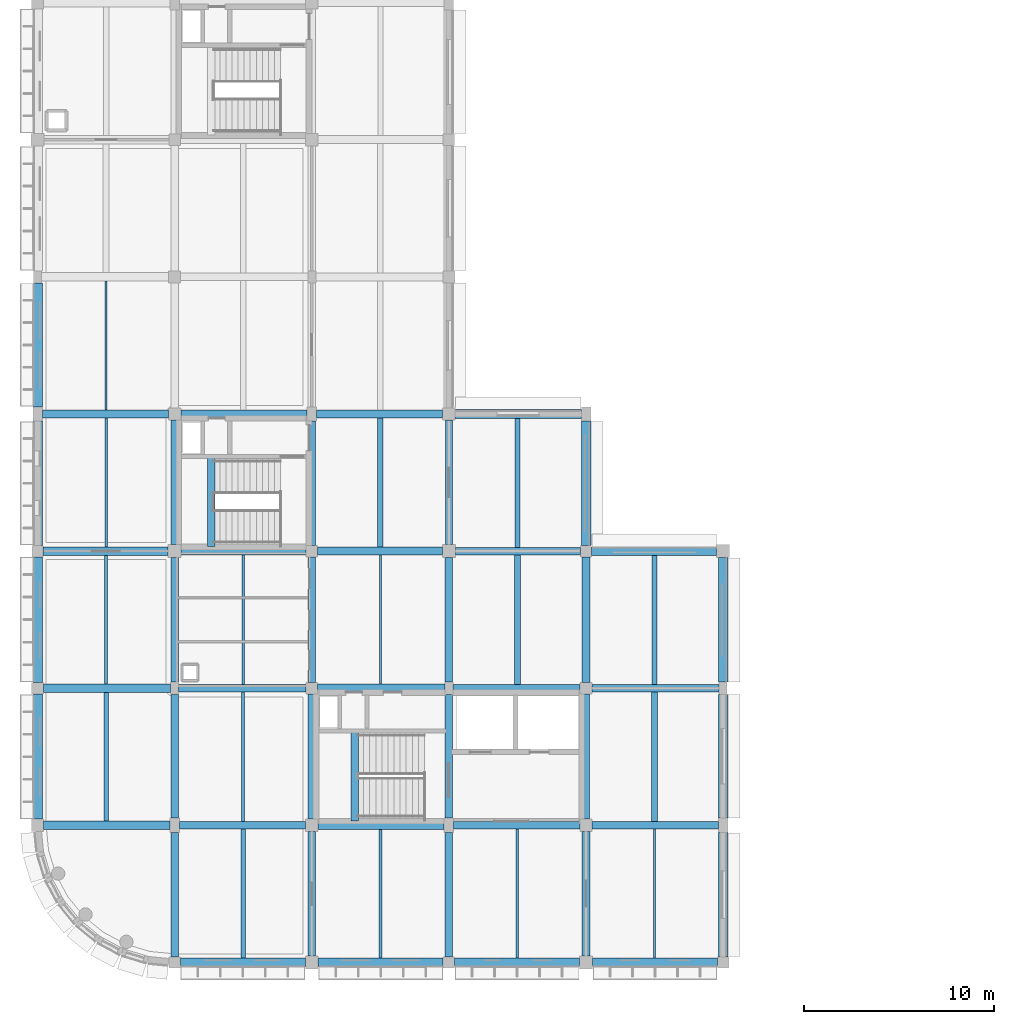
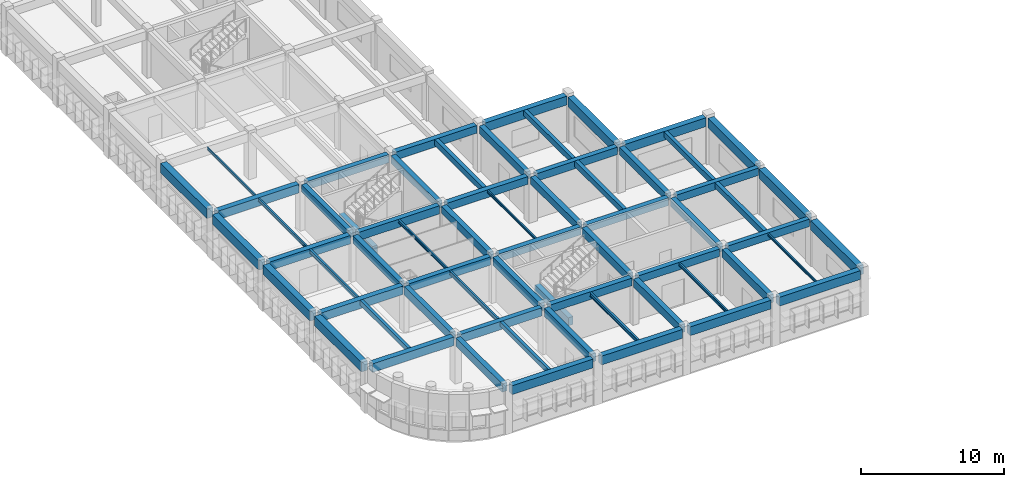
# One storey, part 3 of 38: 64 beams.
"""IFC4 building model written with IfcOpenShell, lengths in metres."""

from ifc_helpers import new_model, si_unit, direction, frame, origin, origin_2d, place, context, subcontext, project, spatial, rectangle, i_section, extrude, material, material_profile, profile_set, type_object, element, save


model = new_model("IFC4")

# Units and contexts
model_context = context("Model", 3, precision=1e-05, world=origin(), true_north=direction((0.0, 1.0)))
body_context = subcontext(model_context, "Body", "Model", "MODEL_VIEW")
ifc_project = project(units=[si_unit("LENGTHUNIT", "METRE"), si_unit("AREAUNIT", "SQUARE_METRE"), si_unit("VOLUMEUNIT", "CUBIC_METRE"), si_unit("PLANEANGLEUNIT", "RADIAN"), si_unit("MASSUNIT", "GRAM", prefix="KILO")], contexts=[model_context])

# Site, building, storey
site_placement = place(None, origin())
site = spatial("IfcSite", under=ifc_project, at=site_placement, CompositionType="ELEMENT")
building_placement = place(site_placement, origin())
building = spatial("IfcBuilding", under=site, at=building_placement, Name="Thalmaran Polytechnic", CompositionType="ELEMENT")
storey_placement = place(building_placement, frame((0.0, 0.0, 18.60009765625)))
storey = spatial("IfcBuildingStorey", under=building, at=storey_placement, Name="L04", CompositionType="ELEMENT", Elevation=18.60009765625)

# Beams
ifc_material_1 = material(Name="Concrete C40/50", Category="concrete")
ifc_material_profile_1 = material_profile(ifc_material_1, rectangle(XDim=0.39990234375, YDim=0.699951171875, at=origin_2d()), Name="RC 400x700")
ifc_profile_set_1 = profile_set([ifc_material_profile_1], Name="Concrete C40/50")
beam_type_1 = type_object("IfcBeamType", Name="BM-RC05", PredefinedType="BEAM", material=ifc_profile_set_1)
beam_1_placement = place(storey_placement, frame((7.449951171875, 7.199951171875, 3.60498046875), z_axis=(1.0, 0.0, 0.0), x_axis=(0.0, 1.0, 0.0)))
element("IfcBeam", 1, at=beam_1_placement, inside=storey, type_object=beam_type_1, Name="Grid Beam B05 L04 X(1,1)", PredefinedType="BEAM", context=body_context, shape_type="SweptSolid", body=[
    extrude(rectangle(XDim=0.39990234375, YDim=0.699951171875, at=origin_2d()), origin(), (0.0, 0.0, 1.0), 6.625),
])
beam_2_placement = place(storey_placement, frame((7.409912109375, 14.39990234375, 3.60498046875), z_axis=(1.0, 0.0, 0.0), x_axis=(0.0, 1.0, 0.0)))
element("IfcBeam", 2, at=beam_2_placement, inside=storey, type_object=beam_type_1, Name="Grid Beam B05 L04 X(1,2)", PredefinedType="BEAM", context=body_context, shape_type="SweptSolid", body=[
    extrude(rectangle(XDim=0.39990234375, YDim=0.699951171875, at=origin_2d()), origin(), (0.0, 0.0, 1.0), 6.68017578125),
])
beam_3_placement = place(storey_placement, frame((7.5400390625, 21.60009765625, 3.60498046875), z_axis=(1.0, 0.0, 0.0), x_axis=(0.0, 1.0, 0.0)))
element("IfcBeam", 3, at=beam_3_placement, inside=storey, type_object=beam_type_1, Name="Grid Beam B05 L04 X(1,3)", PredefinedType="BEAM", context=body_context, shape_type="SweptSolid", body=[
    extrude(rectangle(XDim=0.39990234375, YDim=0.699951171875, at=origin_2d()), origin(), (0.0, 0.0, 1.0), 6.56005859375),
])
beam_4_placement = place(storey_placement, frame((7.52490234375, 28.800048828125, 3.60498046875), z_axis=(1.0, 0.0, 0.0), x_axis=(0.0, 1.0, 0.0)))
element("IfcBeam", 4, at=beam_4_placement, inside=storey, type_object=beam_type_1, Name="Grid Beam B05 L04 X(1,4)", PredefinedType="BEAM", context=body_context, shape_type="SweptSolid", body=[
    extrude(rectangle(XDim=0.39990234375, YDim=0.699951171875, at=origin_2d()), origin(), (0.0, 0.0, 1.0), 6.625),
])
ifc_material_profile_2 = material_profile(ifc_material_1, rectangle(XDim=0.39990234375, YDim=0.64990234375, at=origin_2d()), Name="RC 400x650")
ifc_profile_set_2 = profile_set([ifc_material_profile_2], Name="Concrete C40/50")
beam_type_2 = type_object("IfcBeamType", Name="BM-RC06", PredefinedType="BEAM", material=ifc_profile_set_2)
beam_5_placement = place(storey_placement, frame((21.85009765625, 7.199951171875, 3.6298828125), z_axis=(1.0, 0.0, 0.0), x_axis=(0.0, 1.0, 0.0)))
element("IfcBeam", 5, at=beam_5_placement, inside=storey, type_object=beam_type_2, Name="Grid Beam B06 L04 X(3,1)", PredefinedType="BEAM", context=body_context, shape_type="SweptSolid", body=[
    extrude(rectangle(XDim=0.39990234375, YDim=0.64990234375, at=origin_2d()), origin(), (0.0, 0.0, 1.0), 6.625),
])
beam_6_placement = place(storey_placement, frame((21.81005859375, 14.39990234375, 3.6298828125), z_axis=(1.0, 0.0, 0.0), x_axis=(0.0, 1.0, 0.0)))
element("IfcBeam", 6, at=beam_6_placement, inside=storey, type_object=beam_type_2, Name="Grid Beam B06 L04 X(3,2)", PredefinedType="BEAM", context=body_context, shape_type="SweptSolid", body=[
    extrude(rectangle(XDim=0.39990234375, YDim=0.64990234375, at=origin_2d()), origin(), (0.0, 0.0, 1.0), 6.679931640625),
])
beam_7_placement = place(storey_placement, frame((21.93994140625, 21.60009765625, 3.60986328125), z_axis=(1.0, 0.0, 0.0), x_axis=(0.0, 1.0, 0.0)))
element("IfcBeam", 7, at=beam_7_placement, inside=storey, type_object=beam_type_2, Name="Grid Beam B06 L04 X(3,3)", PredefinedType="BEAM", context=body_context, shape_type="SweptSolid", body=[
    extrude(rectangle(XDim=0.39990234375, YDim=0.64990234375, at=origin_2d()), origin(), (0.0, 0.0, 1.0), 6.56005859375),
])
ifc_material_profile_3 = material_profile(ifc_material_1, rectangle(XDim=0.39990234375, YDim=0.6298828125, at=origin_2d()), Name="RC 400x630")
ifc_profile_set_3 = profile_set([ifc_material_profile_3], Name="Concrete C40/50")
beam_type_3 = type_object("IfcBeamType", Name="BM-RC07", PredefinedType="BEAM", material=ifc_profile_set_3)
beam_8_placement = place(storey_placement, frame((7.199951171875, 14.719970703125, 3.639892578125), z_axis=(0.0, 1.0, 0.0), x_axis=(-1.0, 0.0, 0.0)))
element("IfcBeam", 8, at=beam_8_placement, inside=storey, type_object=beam_type_3, Name="Grid Beam B07 L04 Y(1,2)", PredefinedType="BEAM", context=body_context, shape_type="SweptSolid", body=[
    extrude(rectangle(XDim=0.39990234375, YDim=0.6298828125, at=origin_2d()), origin(), (0.0, 0.0, 1.0), 6.5400390625),
])
beam_9_placement = place(storey_placement, frame((14.39990234375, 14.7099609375, 3.639892578125), z_axis=(0.0, 1.0, 0.0), x_axis=(-1.0, 0.0, 0.0)))
element("IfcBeam", 9, at=beam_9_placement, inside=storey, type_object=beam_type_3, Name="Grid Beam B07 L04 Y(2,2)", PredefinedType="BEAM", context=body_context, shape_type="SweptSolid", body=[
    extrude(rectangle(XDim=0.39990234375, YDim=0.6298828125, at=origin_2d()), origin(), (0.0, 0.0, 1.0), 6.590087890625),
])
beam_10_placement = place(storey_placement, frame((21.60009765625, 14.719970703125, 3.639892578125), z_axis=(0.0, 1.0, 0.0), x_axis=(-1.0, 0.0, 0.0)))
element("IfcBeam", 10, at=beam_10_placement, inside=storey, type_object=beam_type_3, Name="Grid Beam B07 L04 Y(3,2)", PredefinedType="BEAM", context=body_context, shape_type="SweptSolid", body=[
    extrude(rectangle(XDim=0.39990234375, YDim=0.6298828125, at=origin_2d()), origin(), (0.0, 0.0, 1.0), 6.5400390625),
])
beam_11_placement = place(storey_placement, frame((28.800048828125, 14.7099609375, 3.639892578125), z_axis=(0.0, 1.0, 0.0), x_axis=(-1.0, 0.0, 0.0)))
element("IfcBeam", 11, at=beam_11_placement, inside=storey, type_object=beam_type_3, Name="Grid Beam B07 L04 Y(4,2)", PredefinedType="BEAM", context=body_context, shape_type="SweptSolid", body=[
    extrude(rectangle(XDim=0.39990234375, YDim=0.6298828125, at=origin_2d()), origin(), (0.0, 0.0, 1.0), 6.590087890625),
])
ifc_material_profile_4 = material_profile(ifc_material_1, rectangle(XDim=0.389892578125, YDim=0.695068359375, at=origin_2d()), Name="RC 390x695")
ifc_profile_set_4 = profile_set([ifc_material_profile_4], Name="Concrete C40/50")
beam_type_4 = type_object("IfcBeamType", Name="BM-RC10", PredefinedType="BEAM", material=ifc_profile_set_4)
beam_12_placement = place(storey_placement, frame((7.199951171875, 7.574951171875, 3.607421875), z_axis=(0.0, 1.0, 0.0), x_axis=(-1.0, 0.0, 0.0)))
element("IfcBeam", 12, at=beam_12_placement, inside=storey, type_object=beam_type_4, Name="Grid Beam B10 L04 Y(1,1)", PredefinedType="BEAM", context=body_context, shape_type="SweptSolid", body=[
    extrude(rectangle(XDim=0.389892578125, YDim=0.695068359375, at=origin_2d()), origin(), (0.0, 0.0, 1.0), 6.505126953125),
])
beam_13_placement = place(storey_placement, frame((14.39990234375, 7.52490234375, 3.607421875), z_axis=(0.0, 1.0, 0.0), x_axis=(-1.0, 0.0, 0.0)))
element("IfcBeam", 13, at=beam_13_placement, inside=storey, type_object=beam_type_4, Name="Grid Beam B10 L04 Y(2,1)", PredefinedType="BEAM", context=body_context, shape_type="SweptSolid", body=[
    extrude(rectangle(XDim=0.389892578125, YDim=0.695068359375, at=origin_2d()), origin(), (0.0, 0.0, 1.0), 6.565185546875),
])
beam_14_placement = place(storey_placement, frame((21.60009765625, 7.574951171875, 3.607421875), z_axis=(0.0, 1.0, 0.0), x_axis=(-1.0, 0.0, 0.0)))
element("IfcBeam", 14, at=beam_14_placement, inside=storey, type_object=beam_type_4, Name="Grid Beam B10 L04 Y(3,1)", PredefinedType="BEAM", context=body_context, shape_type="SweptSolid", body=[
    extrude(rectangle(XDim=0.389892578125, YDim=0.695068359375, at=origin_2d()), origin(), (0.0, 0.0, 1.0), 6.505126953125),
])
beam_15_placement = place(storey_placement, frame((28.800048828125, 7.52490234375, 3.607421875), z_axis=(0.0, 1.0, 0.0), x_axis=(-1.0, 0.0, 0.0)))
element("IfcBeam", 15, at=beam_15_placement, inside=storey, type_object=beam_type_4, Name="Grid Beam B10 L04 Y(4,1)", PredefinedType="BEAM", context=body_context, shape_type="SweptSolid", body=[
    extrude(rectangle(XDim=0.389892578125, YDim=0.695068359375, at=origin_2d()), origin(), (0.0, 0.0, 1.0), 6.565185546875),
])
for number, where, z_axis, x_axis, name in (
    (16, (16.659912109375, 7.43994140625, 1.639892578125), (0.0, 1.0, 0.0), (-1.0, 0.0, 0.0), "ST1 L04 Half-Landing Trimmer Beam"),
    (17, (9.1201171875, 21.840087890625, 1.639892578125), (0.0, 1.0, 0.0), (-1.0, 0.0, 0.0), "ST3 L04 Half-Landing Trimmer Beam"),
):
    element("IfcBeam", number, at=place(storey_placement, frame(where, z_axis=z_axis, x_axis=x_axis)), inside=storey, type_object=beam_type_4, Name=name, PredefinedType="BEAM", context=body_context, shape_type="SweptSolid", body=[
        extrude(rectangle(XDim=0.389892578125, YDim=0.695068359375, at=origin_2d()), origin(), (0.0, 0.0, 1.0), 4.699951171875),
    ])
ifc_material_profile_5 = material_profile(ifc_material_1, rectangle(XDim=0.300048828125, YDim=0.5, at=origin_2d()), Name="RC 300x500")
ifc_profile_set_5 = profile_set([ifc_material_profile_5], Name="Concrete C40/50")
beam_type_5 = type_object("IfcBeamType", Name="BM-RC11", PredefinedType="JOIST", material=ifc_profile_set_5)
beam_16_placement = place(storey_placement, frame((18.0, 21.81005859375, 3.704833984375), z_axis=(0.0, 1.0, 0.0), x_axis=(-1.0, 0.0, 0.0)))
element("IfcBeam", 18, at=beam_16_placement, inside=storey, type_object=beam_type_5, Name="Secondary Floor Rib RB01 L04 (2,3)", PredefinedType="JOIST", context=body_context, shape_type="SweptSolid", body=[
    extrude(rectangle(XDim=0.300048828125, YDim=0.5, at=origin_2d()), origin(), (0.0, 0.0, 1.0), 6.780029296875),
])
beam_17_placement = place(storey_placement, frame((25.199951171875, 14.60009765625, 3.704833984375), z_axis=(0.0, 1.0, 0.0), x_axis=(-1.0, 0.0, 0.0)))
element("IfcBeam", 19, at=beam_17_placement, inside=storey, type_object=beam_type_5, Name="Secondary Floor Rib RB01 L04 (3,2)", PredefinedType="JOIST", context=body_context, shape_type="SweptSolid", body=[
    extrude(rectangle(XDim=0.300048828125, YDim=0.5, at=origin_2d()), origin(), (0.0, 0.0, 1.0), 6.7998046875),
])
beam_18_placement = place(storey_placement, frame((32.39990234375, 7.389892578125, 3.704833984375), z_axis=(0.0, 1.0, 0.0), x_axis=(-1.0, 0.0, 0.0)))
element("IfcBeam", 20, at=beam_18_placement, inside=storey, type_object=beam_type_5, Name="Secondary Floor Rib RB01 L04 (4,1)", PredefinedType="JOIST", context=body_context, shape_type="SweptSolid", body=[
    extrude(rectangle(XDim=0.300048828125, YDim=0.5, at=origin_2d()), origin(), (0.0, 0.0, 1.0), 6.820068359375),
])
ifc_material_2 = material(Name="Steel S355", Category="steel")
ifc_material_profile_6 = material_profile(ifc_material_2, i_section(OverallWidth=0.159912109375, OverallDepth=0.330078125, WebThickness=0.007568359375, FlangeThickness=0.011474609375, at=origin_2d()), Name="IPE 330")
ifc_profile_set_6 = profile_set([ifc_material_profile_6], Name="Steel S355")
beam_type_6 = type_object("IfcBeamType", Name="BM-SJ02", PredefinedType="JOIST", material=ifc_profile_set_6)
beam_19_placement = place(storey_placement, frame((3.60009765625, 14.6201171875, 3.789794921875), z_axis=(0.0, 1.0, 0.0), x_axis=(-1.0, 0.0, 0.0)))
element("IfcBeam", 21, at=beam_19_placement, inside=storey, type_object=beam_type_6, Name="Secondary Floor Rib SJ02 L04 (0,2)", PredefinedType="JOIST", context=body_context, shape_type="SweptSolid", body=[
    extrude(i_section(OverallWidth=0.159912109375, OverallDepth=0.330078125, WebThickness=0.007568359375, FlangeThickness=0.011474609375, at=origin_2d()), origin(), (0.0, 0.0, 1.0), 6.759765625),
])
beam_20_placement = place(storey_placement, frame((10.800048828125, 7.39990234375, 3.789794921875), z_axis=(0.0, 1.0, 0.0), x_axis=(-1.0, 0.0, 0.0)))
element("IfcBeam", 22, at=beam_20_placement, inside=storey, type_object=beam_type_6, Name="Secondary Floor Rib SJ02 L04 (1,1)", PredefinedType="JOIST", context=body_context, shape_type="SweptSolid", body=[
    extrude(i_section(OverallWidth=0.159912109375, OverallDepth=0.330078125, WebThickness=0.007568359375, FlangeThickness=0.011474609375, at=origin_2d()), origin(), (0.0, 0.0, 1.0), 6.800048828125),
])
beam_21_placement = place(storey_placement, frame((18.0, 0.22509765625, 3.789794921875), z_axis=(0.0, 1.0, 0.0), x_axis=(-1.0, 0.0, 0.0)))
element("IfcBeam", 23, at=beam_21_placement, inside=storey, type_object=beam_type_6, Name="Secondary Floor Rib SJ02 L04 (2,0)", PredefinedType="JOIST", context=body_context, shape_type="SweptSolid", body=[
    extrude(i_section(OverallWidth=0.159912109375, OverallDepth=0.330078125, WebThickness=0.007568359375, FlangeThickness=0.011474609375, at=origin_2d()), origin(), (0.0, 0.0, 1.0), 6.764892578125),
])
ifc_material_profile_7 = material_profile(ifc_material_2, i_section(OverallWidth=0.135009765625, OverallDepth=0.27001953125, WebThickness=0.006591796875, FlangeThickness=0.01025390625, at=origin_2d()), Name="IPE 270")
ifc_profile_set_7 = profile_set([ifc_material_profile_7], Name="Steel S355")
beam_type_7 = type_object("IfcBeamType", Name="BM-SJ03", PredefinedType="JOIST", material=ifc_profile_set_7)
beam_22_placement = place(storey_placement, frame((3.60009765625, 21.820068359375, 3.81982421875), z_axis=(0.0, 1.0, 0.0), x_axis=(-1.0, 0.0, 0.0)))
element("IfcBeam", 24, at=beam_22_placement, inside=storey, type_object=beam_type_7, Name="Secondary Floor Rib SJ03 L04 (0,3)", PredefinedType="JOIST", context=body_context, shape_type="SweptSolid", body=[
    extrude(i_section(OverallWidth=0.135009765625, OverallDepth=0.27001953125, WebThickness=0.006591796875, FlangeThickness=0.01025390625, at=origin_2d()), origin(), (0.0, 0.0, 1.0), 6.760009765625),
])
beam_23_placement = place(storey_placement, frame((10.800048828125, 14.60009765625, 3.81982421875), z_axis=(0.0, 1.0, 0.0), x_axis=(-1.0, 0.0, 0.0)))
element("IfcBeam", 25, at=beam_23_placement, inside=storey, type_object=beam_type_7, Name="Secondary Floor Rib SJ03 L04 (1,2)", PredefinedType="JOIST", context=body_context, shape_type="SweptSolid", body=[
    extrude(i_section(OverallWidth=0.135009765625, OverallDepth=0.27001953125, WebThickness=0.006591796875, FlangeThickness=0.01025390625, at=origin_2d()), origin(), (0.0, 0.0, 1.0), 6.7998046875),
])
beam_24_placement = place(storey_placement, frame((25.199951171875, 0.22509765625, 3.81982421875), z_axis=(0.0, 1.0, 0.0), x_axis=(-1.0, 0.0, 0.0)))
element("IfcBeam", 26, at=beam_24_placement, inside=storey, type_object=beam_type_7, Name="Secondary Floor Rib SJ03 L04 (3,0)", PredefinedType="JOIST", context=body_context, shape_type="SweptSolid", body=[
    extrude(i_section(OverallWidth=0.135009765625, OverallDepth=0.27001953125, WebThickness=0.006591796875, FlangeThickness=0.01025390625, at=origin_2d()), origin(), (0.0, 0.0, 1.0), 6.77490234375),
])
ifc_material_profile_8 = material_profile(ifc_material_2, i_section(OverallWidth=0.110107421875, OverallDepth=0.219970703125, WebThickness=0.005859375, FlangeThickness=0.00927734375, at=origin_2d()), Name="IPE 220")
ifc_profile_set_8 = profile_set([ifc_material_profile_8], Name="Steel S355")
beam_type_8 = type_object("IfcBeamType", Name="BM-SJ04", PredefinedType="JOIST", material=ifc_profile_set_8)
beam_25_placement = place(storey_placement, frame((3.60009765625, 29.02001953125, 3.844970703125), z_axis=(0.0, 1.0, 0.0), x_axis=(-1.0, 0.0, 0.0)))
element("IfcBeam", 27, at=beam_25_placement, inside=storey, type_object=beam_type_8, Name="Secondary Floor Rib SJ04 L04 (0,4)", PredefinedType="JOIST", context=body_context, shape_type="SweptSolid", body=[
    extrude(i_section(OverallWidth=0.110107421875, OverallDepth=0.219970703125, WebThickness=0.005859375, FlangeThickness=0.00927734375, at=origin_2d()), origin(), (0.0, 0.0, 1.0), 6.760009765625),
])
beam_26_placement = place(storey_placement, frame((18.0, 14.610107421875, 3.844970703125), z_axis=(0.0, 1.0, 0.0), x_axis=(-1.0, 0.0, 0.0)))
element("IfcBeam", 28, at=beam_26_placement, inside=storey, type_object=beam_type_8, Name="Secondary Floor Rib SJ04 L04 (2,2)", PredefinedType="JOIST", context=body_context, shape_type="SweptSolid", body=[
    extrude(i_section(OverallWidth=0.110107421875, OverallDepth=0.219970703125, WebThickness=0.005859375, FlangeThickness=0.00927734375, at=origin_2d()), origin(), (0.0, 0.0, 1.0), 6.77978515625),
])
beam_27_placement = place(storey_placement, frame((32.39990234375, 0.22509765625, 3.844970703125), z_axis=(0.0, 1.0, 0.0), x_axis=(-1.0, 0.0, 0.0)))
element("IfcBeam", 29, at=beam_27_placement, inside=storey, type_object=beam_type_8, Name="Secondary Floor Rib SJ04 L04 (4,0)", PredefinedType="JOIST", context=body_context, shape_type="SweptSolid", body=[
    extrude(i_section(OverallWidth=0.110107421875, OverallDepth=0.219970703125, WebThickness=0.005859375, FlangeThickness=0.00927734375, at=origin_2d()), origin(), (0.0, 0.0, 1.0), 6.784912109375),
])
ifc_material_profile_9 = material_profile(ifc_material_1, rectangle(XDim=0.449951171875, YDim=0.7548828125, at=origin_2d()), Name="RC 450x755")
ifc_profile_set_9 = profile_set([ifc_material_profile_9], Name="Concrete C40/50")
beam_type_9 = type_object("IfcBeamType", Name="BM-SP02", PredefinedType="SPANDREL", material=ifc_profile_set_9)
for number, where, z_axis, x_axis, name in (
    (30, (7.5, 0.0, 3.577392578125), (1.0, 0.0, 0.0), (0.0, 1.0, 0.0), "Grid Beam SP02 L04 X(1,0)"),
    (31, (14.739990234375, 0.0, 3.577392578125), (1.0, 0.0, 0.0), (0.0, 1.0, 0.0), "Grid Beam SP02 L04 X(2,0)"),
    (32, (21.89990234375, 0.0, 3.577392578125), (1.0, 0.0, 0.0), (0.0, 1.0, 0.0), "Grid Beam SP02 L04 X(3,0)"),
):
    element("IfcBeam", number, at=place(storey_placement, frame(where, z_axis=z_axis, x_axis=x_axis)), inside=storey, type_object=beam_type_9, Name=name, PredefinedType="SPANDREL", context=body_context, shape_type="SweptSolid", body=[
        extrude(rectangle(XDim=0.449951171875, YDim=0.7548828125, at=origin_2d()), origin(), (0.0, 0.0, 1.0), 6.56005859375),
    ])
beam_28_placement = place(storey_placement, frame((21.925048828125, 28.800048828125, 3.557373046875), z_axis=(1.0, 0.0, 0.0), x_axis=(0.0, 1.0, 0.0)))
element("IfcBeam", 33, at=beam_28_placement, inside=storey, type_object=beam_type_9, Name="Grid Beam SP02 L04 X(3,4)", PredefinedType="SPANDREL", context=body_context, shape_type="SweptSolid", body=[
    extrude(rectangle(XDim=0.449951171875, YDim=0.7548828125, at=origin_2d()), origin(), (0.0, 0.0, 1.0), 6.625),
])
beam_29_placement = place(storey_placement, frame((29.139892578125, 0.0, 3.577392578125), z_axis=(1.0, 0.0, 0.0), x_axis=(0.0, 1.0, 0.0)))
element("IfcBeam", 34, at=beam_29_placement, inside=storey, type_object=beam_type_9, Name="Grid Beam SP02 L04 X(4,0)", PredefinedType="SPANDREL", context=body_context, shape_type="SweptSolid", body=[
    extrude(rectangle(XDim=0.449951171875, YDim=0.7548828125, at=origin_2d()), origin(), (0.0, 0.0, 1.0), 6.56005859375),
])
beam_30_placement = place(storey_placement, frame((29.10009765625, 21.60009765625, 3.577392578125), z_axis=(1.0, 0.0, 0.0), x_axis=(0.0, 1.0, 0.0)))
element("IfcBeam", 35, at=beam_30_placement, inside=storey, type_object=beam_type_9, Name="Grid Beam SP02 L04 X(4,3)", PredefinedType="SPANDREL", context=body_context, shape_type="SweptSolid", body=[
    extrude(rectangle(XDim=0.449951171875, YDim=0.7548828125, at=origin_2d()), origin(), (0.0, 0.0, 1.0), 6.559814453125),
])
ifc_material_profile_10 = material_profile(ifc_material_1, rectangle(XDim=0.5, YDim=0.804931640625, at=origin_2d()), Name="RC 500x805")
ifc_profile_set_10 = profile_set([ifc_material_profile_10], Name="Concrete C40/50")
beam_type_10 = type_object("IfcBeamType", Name="BM-SP03", PredefinedType="SPANDREL", material=ifc_profile_set_10)
beam_31_placement = place(storey_placement, frame((0.0, 7.52490234375, 3.552490234375), z_axis=(0.0, 1.0, 0.0), x_axis=(-1.0, 0.0, 0.0)))
element("IfcBeam", 36, at=beam_31_placement, inside=storey, type_object=beam_type_10, Name="Grid Beam SP03 L04 Y(0,1)", PredefinedType="SPANDREL", context=body_context, shape_type="SweptSolid", body=[
    extrude(rectangle(XDim=0.5, YDim=0.804931640625, at=origin_2d()), origin(), (0.0, 0.0, 1.0), 6.565185546875),
])
beam_32_placement = place(storey_placement, frame((0.0, 14.7099609375, 3.552490234375), z_axis=(0.0, 1.0, 0.0), x_axis=(-1.0, 0.0, 0.0)))
element("IfcBeam", 37, at=beam_32_placement, inside=storey, type_object=beam_type_10, Name="Grid Beam SP03 L04 Y(0,2)", PredefinedType="SPANDREL", context=body_context, shape_type="SweptSolid", body=[
    extrude(rectangle(XDim=0.5, YDim=0.804931640625, at=origin_2d()), origin(), (0.0, 0.0, 1.0), 6.590087890625),
])
beam_33_placement = place(storey_placement, frame((0.0, 21.89990234375, 3.552490234375), z_axis=(0.0, 1.0, 0.0), x_axis=(-1.0, 0.0, 0.0)))
element("IfcBeam", 38, at=beam_33_placement, inside=storey, type_object=beam_type_10, Name="Grid Beam SP03 L04 Y(0,3)", PredefinedType="SPANDREL", context=body_context, shape_type="SweptSolid", body=[
    extrude(rectangle(XDim=0.5, YDim=0.804931640625, at=origin_2d()), origin(), (0.0, 0.0, 1.0), 6.525146484375),
])
beam_34_placement = place(storey_placement, frame((0.0, 29.175048828125, 3.552490234375), z_axis=(0.0, 1.0, 0.0), x_axis=(-1.0, 0.0, 0.0)))
element("IfcBeam", 39, at=beam_34_placement, inside=storey, type_object=beam_type_10, Name="Grid Beam SP03 L04 Y(0,4)", PredefinedType="SPANDREL", context=body_context, shape_type="SweptSolid", body=[
    extrude(rectangle(XDim=0.5, YDim=0.804931640625, at=origin_2d()), origin(), (0.0, 0.0, 1.0), 6.5048828125),
])
beam_35_placement = place(storey_placement, frame((28.800048828125, 21.89990234375, 3.532470703125), z_axis=(0.0, 1.0, 0.0), x_axis=(-1.0, 0.0, 0.0)))
element("IfcBeam", 40, at=beam_35_placement, inside=storey, type_object=beam_type_10, Name="Grid Beam SP03 L04 Y(4,3)", PredefinedType="SPANDREL", context=body_context, shape_type="SweptSolid", body=[
    extrude(rectangle(XDim=0.5, YDim=0.804931640625, at=origin_2d()), origin(), (0.0, 0.0, 1.0), 6.525146484375),
])
beam_36_placement = place(storey_placement, frame((36.0, 0.300048828125, 3.552490234375), z_axis=(0.0, 1.0, 0.0), x_axis=(-1.0, 0.0, 0.0)))
element("IfcBeam", 41, at=beam_36_placement, inside=storey, type_object=beam_type_10, Name="Grid Beam SP03 L04 Y(5,0)", PredefinedType="SPANDREL", context=body_context, shape_type="SweptSolid", body=[
    extrude(rectangle(XDim=0.5, YDim=0.804931640625, at=origin_2d()), origin(), (0.0, 0.0, 1.0), 6.52490234375),
])
beam_37_placement = place(storey_placement, frame((36.0, 7.574951171875, 3.552490234375), z_axis=(0.0, 1.0, 0.0), x_axis=(-1.0, 0.0, 0.0)))
element("IfcBeam", 42, at=beam_37_placement, inside=storey, type_object=beam_type_10, Name="Grid Beam SP03 L04 Y(5,1)", PredefinedType="SPANDREL", context=body_context, shape_type="SweptSolid", body=[
    extrude(rectangle(XDim=0.5, YDim=0.804931640625, at=origin_2d()), origin(), (0.0, 0.0, 1.0), 6.505126953125),
])
beam_38_placement = place(storey_placement, frame((36.0, 14.719970703125, 3.552490234375), z_axis=(0.0, 1.0, 0.0), x_axis=(-1.0, 0.0, 0.0)))
element("IfcBeam", 43, at=beam_38_placement, inside=storey, type_object=beam_type_10, Name="Grid Beam SP03 L04 Y(5,2)", PredefinedType="SPANDREL", context=body_context, shape_type="SweptSolid", body=[
    extrude(rectangle(XDim=0.5, YDim=0.804931640625, at=origin_2d()), origin(), (0.0, 0.0, 1.0), 6.5400390625),
])
ifc_material_profile_11 = material_profile(ifc_material_1, rectangle(XDim=0.43994140625, YDim=0.719970703125, at=origin_2d()), Name="RC 440x720")
ifc_profile_set_11 = profile_set([ifc_material_profile_11], Name="Concrete C40/50")
beam_type_11 = type_object("IfcBeamType", Name="BM-ZB03", PredefinedType="BEAM", material=ifc_profile_set_11)
beam_39_placement = place(storey_placement, frame((0.324951171875, 7.199951171875, 3.594970703125), z_axis=(1.0, 0.0, 0.0), x_axis=(0.0, 1.0, 0.0)))
element("IfcBeam", 44, at=beam_39_placement, inside=storey, type_object=beam_type_11, Name="Grid Beam ZB03 L04 X(0,1)", PredefinedType="BEAM", context=body_context, shape_type="SweptSolid", body=[
    extrude(rectangle(XDim=0.43994140625, YDim=0.719970703125, at=origin_2d()), origin(), (0.0, 0.0, 1.0), 6.625),
])
beam_40_placement = place(storey_placement, frame((0.31005859375, 14.39990234375, 3.594970703125), z_axis=(1.0, 0.0, 0.0), x_axis=(0.0, 1.0, 0.0)))
element("IfcBeam", 45, at=beam_40_placement, inside=storey, type_object=beam_type_11, Name="Grid Beam ZB03 L04 X(0,2)", PredefinedType="BEAM", context=body_context, shape_type="SweptSolid", body=[
    extrude(rectangle(XDim=0.43994140625, YDim=0.719970703125, at=origin_2d()), origin(), (0.0, 0.0, 1.0), 6.679931640625),
])
beam_41_placement = place(storey_placement, frame((0.300048828125, 21.60009765625, 3.594970703125), z_axis=(1.0, 0.0, 0.0), x_axis=(0.0, 1.0, 0.0)))
element("IfcBeam", 46, at=beam_41_placement, inside=storey, type_object=beam_type_11, Name="Grid Beam ZB03 L04 X(0,3)", PredefinedType="BEAM", context=body_context, shape_type="SweptSolid", body=[
    extrude(rectangle(XDim=0.43994140625, YDim=0.719970703125, at=origin_2d()), origin(), (0.0, 0.0, 1.0), 6.56005859375),
])
beam_42_placement = place(storey_placement, frame((0.25, 28.800048828125, 3.594970703125), z_axis=(1.0, 0.0, 0.0), x_axis=(0.0, 1.0, 0.0)))
element("IfcBeam", 47, at=beam_42_placement, inside=storey, type_object=beam_type_11, Name="Grid Beam ZB03 L04 X(0,4)", PredefinedType="BEAM", context=body_context, shape_type="SweptSolid", body=[
    extrude(rectangle(XDim=0.43994140625, YDim=0.719970703125, at=origin_2d()), origin(), (0.0, 0.0, 1.0), 6.625),
])
ifc_material_profile_12 = material_profile(ifc_material_1, rectangle(XDim=0.419921875, YDim=0.659912109375, at=origin_2d()), Name="RC 420x660")
ifc_profile_set_12 = profile_set([ifc_material_profile_12], Name="Concrete C40/50")
beam_type_12 = type_object("IfcBeamType", Name="BM-ZB04", PredefinedType="BEAM", material=ifc_profile_set_12)
beam_43_placement = place(storey_placement, frame((14.72509765625, 7.199951171875, 3.625), z_axis=(1.0, 0.0, 0.0), x_axis=(0.0, 1.0, 0.0)))
element("IfcBeam", 48, at=beam_43_placement, inside=storey, type_object=beam_type_12, Name="Grid Beam ZB04 L04 X(2,1)", PredefinedType="BEAM", context=body_context, shape_type="SweptSolid", body=[
    extrude(rectangle(XDim=0.419921875, YDim=0.659912109375, at=origin_2d()), origin(), (0.0, 0.0, 1.0), 6.625),
])
beam_44_placement = place(storey_placement, frame((14.7099609375, 14.39990234375, 3.625), z_axis=(1.0, 0.0, 0.0), x_axis=(0.0, 1.0, 0.0)))
element("IfcBeam", 49, at=beam_44_placement, inside=storey, type_object=beam_type_12, Name="Grid Beam ZB04 L04 X(2,2)", PredefinedType="BEAM", context=body_context, shape_type="SweptSolid", body=[
    extrude(rectangle(XDim=0.419921875, YDim=0.659912109375, at=origin_2d()), origin(), (0.0, 0.0, 1.0), 6.679931640625),
])
beam_45_placement = place(storey_placement, frame((14.699951171875, 21.60009765625, 3.625), z_axis=(1.0, 0.0, 0.0), x_axis=(0.0, 1.0, 0.0)))
element("IfcBeam", 50, at=beam_45_placement, inside=storey, type_object=beam_type_12, Name="Grid Beam ZB04 L04 X(2,3)", PredefinedType="BEAM", context=body_context, shape_type="SweptSolid", body=[
    extrude(rectangle(XDim=0.419921875, YDim=0.659912109375, at=origin_2d()), origin(), (0.0, 0.0, 1.0), 6.56005859375),
])
beam_46_placement = place(storey_placement, frame((14.64990234375, 28.800048828125, 3.625), z_axis=(1.0, 0.0, 0.0), x_axis=(0.0, 1.0, 0.0)))
element("IfcBeam", 51, at=beam_46_placement, inside=storey, type_object=beam_type_12, Name="Grid Beam ZB04 L04 X(2,4)", PredefinedType="BEAM", context=body_context, shape_type="SweptSolid", body=[
    extrude(rectangle(XDim=0.419921875, YDim=0.659912109375, at=origin_2d()), origin(), (0.0, 0.0, 1.0), 6.625),
])
ifc_material_profile_13 = material_profile(ifc_material_1, rectangle(XDim=0.3798828125, YDim=0.639892578125, at=origin_2d()), Name="RC 380x640")
ifc_profile_set_13 = profile_set([ifc_material_profile_13], Name="Concrete C40/50")
beam_type_13 = type_object("IfcBeamType", Name="BM-ZB05", PredefinedType="BEAM", material=ifc_profile_set_13)
beam_47_placement = place(storey_placement, frame((29.125, 7.199951171875, 3.635009765625), z_axis=(1.0, 0.0, 0.0), x_axis=(0.0, 1.0, 0.0)))
element("IfcBeam", 52, at=beam_47_placement, inside=storey, type_object=beam_type_13, Name="Grid Beam ZB05 L04 X(4,1)", PredefinedType="BEAM", context=body_context, shape_type="SweptSolid", body=[
    extrude(rectangle(XDim=0.3798828125, YDim=0.639892578125, at=origin_2d()), origin(), (0.0, 0.0, 1.0), 6.625),
])
beam_48_placement = place(storey_placement, frame((29.110107421875, 14.39990234375, 3.635009765625), z_axis=(1.0, 0.0, 0.0), x_axis=(0.0, 1.0, 0.0)))
element("IfcBeam", 53, at=beam_48_placement, inside=storey, type_object=beam_type_13, Name="Grid Beam ZB05 L04 X(4,2)", PredefinedType="BEAM", context=body_context, shape_type="SweptSolid", body=[
    extrude(rectangle(XDim=0.3798828125, YDim=0.639892578125, at=origin_2d()), origin(), (0.0, 0.0, 1.0), 6.679931640625),
])
ifc_material_profile_14 = material_profile(ifc_material_1, rectangle(XDim=0.3798828125, YDim=0.635009765625, at=origin_2d()), Name="RC 380x635")
ifc_profile_set_14 = profile_set([ifc_material_profile_14], Name="Concrete C40/50")
beam_type_14 = type_object("IfcBeamType", Name="BM-ZB06", PredefinedType="BEAM", material=ifc_profile_set_14)
beam_49_placement = place(storey_placement, frame((7.199951171875, 21.93994140625, 3.637451171875), z_axis=(0.0, 1.0, 0.0), x_axis=(-1.0, 0.0, 0.0)))
element("IfcBeam", 54, at=beam_49_placement, inside=storey, type_object=beam_type_14, Name="Grid Beam ZB06 L04 Y(1,3)", PredefinedType="BEAM", context=body_context, shape_type="SweptSolid", body=[
    extrude(rectangle(XDim=0.3798828125, YDim=0.635009765625, at=origin_2d()), origin(), (0.0, 0.0, 1.0), 6.53515625),
])
beam_50_placement = place(storey_placement, frame((14.39990234375, 21.89990234375, 3.637451171875), z_axis=(0.0, 1.0, 0.0), x_axis=(-1.0, 0.0, 0.0)))
element("IfcBeam", 55, at=beam_50_placement, inside=storey, type_object=beam_type_14, Name="Grid Beam ZB06 L04 Y(2,3)", PredefinedType="BEAM", context=body_context, shape_type="SweptSolid", body=[
    extrude(rectangle(XDim=0.3798828125, YDim=0.635009765625, at=origin_2d()), origin(), (0.0, 0.0, 1.0), 6.525146484375),
])
beam_51_placement = place(storey_placement, frame((21.60009765625, 21.93994140625, 3.617431640625), z_axis=(0.0, 1.0, 0.0), x_axis=(-1.0, 0.0, 0.0)))
element("IfcBeam", 56, at=beam_51_placement, inside=storey, type_object=beam_type_14, Name="Grid Beam ZB06 L04 Y(3,3)", PredefinedType="BEAM", context=body_context, shape_type="SweptSolid", body=[
    extrude(rectangle(XDim=0.3798828125, YDim=0.635009765625, at=origin_2d()), origin(), (0.0, 0.0, 1.0), 6.53515625),
])
ifc_material_profile_15 = material_profile(ifc_material_1, rectangle(XDim=0.39990234375, YDim=0.695068359375, at=origin_2d()), Name="RC 400x695")
ifc_profile_set_15 = profile_set([ifc_material_profile_15], Name="Concrete C40/50")
beam_type_15 = type_object("IfcBeamType", Name="BM-ZB08", PredefinedType="BEAM", material=ifc_profile_set_15)
beam_52_placement = place(storey_placement, frame((7.199951171875, 0.300048828125, 3.607421875), z_axis=(0.0, 1.0, 0.0), x_axis=(-1.0, 0.0, 0.0)))
element("IfcBeam", 57, at=beam_52_placement, inside=storey, type_object=beam_type_15, Name="Grid Beam ZB08 L04 Y(1,0)", PredefinedType="BEAM", context=body_context, shape_type="SweptSolid", body=[
    extrude(rectangle(XDim=0.39990234375, YDim=0.695068359375, at=origin_2d()), origin(), (0.0, 0.0, 1.0), 6.52490234375),
])
beam_53_placement = place(storey_placement, frame((14.39990234375, 0.340087890625, 3.607421875), z_axis=(0.0, 1.0, 0.0), x_axis=(-1.0, 0.0, 0.0)))
element("IfcBeam", 58, at=beam_53_placement, inside=storey, type_object=beam_type_15, Name="Grid Beam ZB08 L04 Y(2,0)", PredefinedType="BEAM", context=body_context, shape_type="SweptSolid", body=[
    extrude(rectangle(XDim=0.39990234375, YDim=0.695068359375, at=origin_2d()), origin(), (0.0, 0.0, 1.0), 6.534912109375),
])
beam_54_placement = place(storey_placement, frame((21.60009765625, 0.300048828125, 3.607421875), z_axis=(0.0, 1.0, 0.0), x_axis=(-1.0, 0.0, 0.0)))
element("IfcBeam", 59, at=beam_54_placement, inside=storey, type_object=beam_type_15, Name="Grid Beam ZB08 L04 Y(3,0)", PredefinedType="BEAM", context=body_context, shape_type="SweptSolid", body=[
    extrude(rectangle(XDim=0.39990234375, YDim=0.695068359375, at=origin_2d()), origin(), (0.0, 0.0, 1.0), 6.52490234375),
])
beam_55_placement = place(storey_placement, frame((28.800048828125, 0.340087890625, 3.607421875), z_axis=(0.0, 1.0, 0.0), x_axis=(-1.0, 0.0, 0.0)))
element("IfcBeam", 60, at=beam_55_placement, inside=storey, type_object=beam_type_15, Name="Grid Beam ZB08 L04 Y(4,0)", PredefinedType="BEAM", context=body_context, shape_type="SweptSolid", body=[
    extrude(rectangle(XDim=0.39990234375, YDim=0.695068359375, at=origin_2d()), origin(), (0.0, 0.0, 1.0), 6.534912109375),
])
ifc_material_profile_16 = material_profile(ifc_material_1, rectangle(XDim=0.280029296875, YDim=0.47998046875, at=origin_2d()), Name="RC 280x480")
ifc_profile_set_16 = profile_set([ifc_material_profile_16], Name="Concrete C40/50")
beam_type_16 = type_object("IfcBeamType", Name="BM-ZJ01", PredefinedType="JOIST", material=ifc_profile_set_16)
beam_56_placement = place(storey_placement, frame((25.199951171875, 21.800048828125, 3.69482421875), z_axis=(0.0, 1.0, 0.0), x_axis=(-1.0, 0.0, 0.0)))
element("IfcBeam", 61, at=beam_56_placement, inside=storey, type_object=beam_type_16, Name="Secondary Floor Rib ZJ01 L04 (3,3)", PredefinedType="JOIST", context=body_context, shape_type="SweptSolid", body=[
    extrude(rectangle(XDim=0.280029296875, YDim=0.47998046875, at=origin_2d()), origin(), (0.0, 0.0, 1.0), 6.77490234375),
])
beam_57_placement = place(storey_placement, frame((32.39990234375, 14.590087890625, 3.71484375), z_axis=(0.0, 1.0, 0.0), x_axis=(-1.0, 0.0, 0.0)))
element("IfcBeam", 62, at=beam_57_placement, inside=storey, type_object=beam_type_16, Name="Secondary Floor Rib ZJ01 L04 (4,2)", PredefinedType="JOIST", context=body_context, shape_type="SweptSolid", body=[
    extrude(rectangle(XDim=0.280029296875, YDim=0.47998046875, at=origin_2d()), origin(), (0.0, 0.0, 1.0), 6.784912109375),
])
ifc_material_profile_17 = material_profile(ifc_material_1, rectangle(XDim=0.239990234375, YDim=0.39990234375, at=origin_2d()), Name="RC 240x400")
ifc_profile_set_17 = profile_set([ifc_material_profile_17], Name="Concrete C40/50")
beam_type_17 = type_object("IfcBeamType", Name="BM-ZJ04", PredefinedType="JOIST", material=ifc_profile_set_17)
beam_58_placement = place(storey_placement, frame((3.60009765625, 7.419921875, 3.7548828125), z_axis=(0.0, 1.0, 0.0), x_axis=(-1.0, 0.0, 0.0)))
element("IfcBeam", 63, at=beam_58_placement, inside=storey, type_object=beam_type_17, Name="Secondary Floor Rib ZJ04 L04 (0,1)", PredefinedType="JOIST", context=body_context, shape_type="SweptSolid", body=[
    extrude(rectangle(XDim=0.239990234375, YDim=0.39990234375, at=origin_2d()), origin(), (0.0, 0.0, 1.0), 6.760009765625),
])
beam_59_placement = place(storey_placement, frame((10.800048828125, 0.22509765625, 3.7548828125), z_axis=(0.0, 1.0, 0.0), x_axis=(-1.0, 0.0, 0.0)))
element("IfcBeam", 64, at=beam_59_placement, inside=storey, type_object=beam_type_17, Name="Secondary Floor Rib ZJ04 L04 (1,0)", PredefinedType="JOIST", context=body_context, shape_type="SweptSolid", body=[
    extrude(rectangle(XDim=0.239990234375, YDim=0.39990234375, at=origin_2d()), origin(), (0.0, 0.0, 1.0), 6.77490234375),
])

save(model, "model.ifc")
